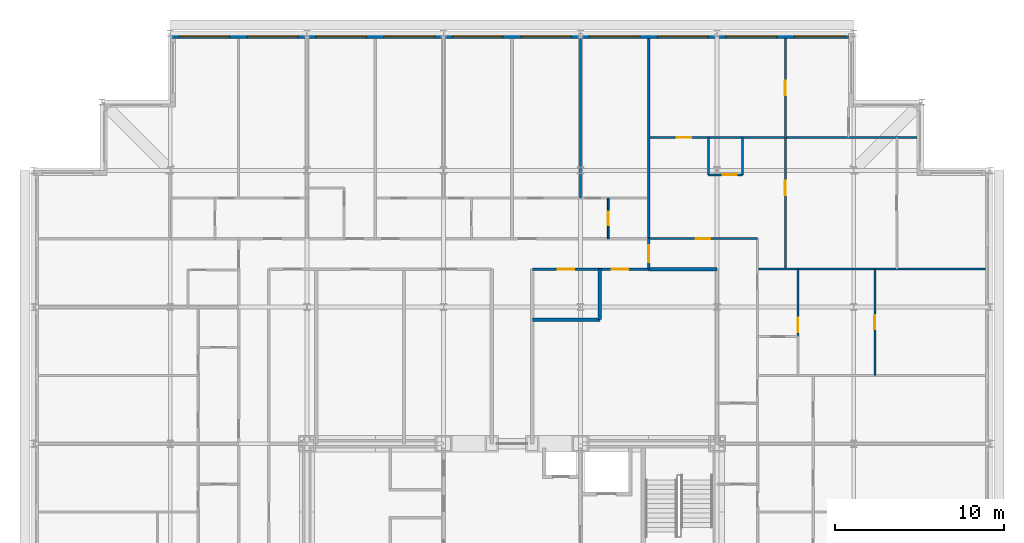
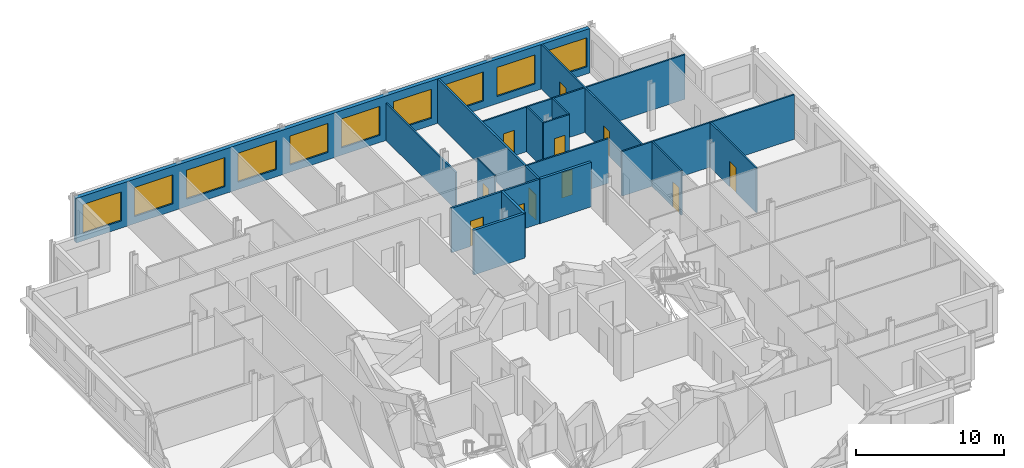
# One storey, part 13 of 15: 18 walls, 11 doors, 10 windows, 21 openings.
"""IFC4 building model written with IfcOpenShell, lengths in metres."""

from ifc_helpers import new_model, si_unit, direction, frame, frame_2d, origin, place, context, subcontext, project, spatial, rectangle, extrude, material, layer, layer_set, type_object, element, fill, save


model = new_model("IFC4")

# Units and contexts
model_context = context("Model", 3, precision=1e-05, world=origin(), true_north=direction((0.0, 1.0)))
body_context = subcontext(model_context, "Body", "Model", "MODEL_VIEW")
ifc_project = project(units=[si_unit("LENGTHUNIT", "METRE"), si_unit("AREAUNIT", "SQUARE_METRE"), si_unit("VOLUMEUNIT", "CUBIC_METRE"), si_unit("PLANEANGLEUNIT", "RADIAN"), si_unit("MASSUNIT", "GRAM", prefix="KILO")], contexts=[model_context])

# Site, building, storey
site_placement = place(None, origin())
site = spatial("IfcSite", under=ifc_project, at=site_placement, CompositionType="ELEMENT")
building_placement = place(site_placement, origin())
building = spatial("IfcBuilding", under=site, at=building_placement, Name="Kopane Lantern Tower", CompositionType="ELEMENT")
storey_placement = place(building_placement, frame((0.0, 0.0, 269.699951171875)))
storey = spatial("IfcBuildingStorey", under=building, at=storey_placement, Name="L69", CompositionType="ELEMENT", Elevation=269.699951171875)

# Wall
ifc_material_1 = material(Name="Gypsum board on steel studs", Category="steel")
ifc_layer_1 = layer(ifc_material_1, 0.1201171875)
ifc_layer_set_1 = layer_set([ifc_layer_1], Name="APARTMENT INTERNAL WALL 120")
wall_type_1 = type_object("IfcWallType", Name="APARTMENT INTERNAL WALL 120", PredefinedType="PARTITIONING", material=ifc_layer_set_1)
wall_1_placement = place(storey_placement, frame((32.39990234375, 55.050048828125, 0.0), z_axis=(0.0, 0.0, 1.0), x_axis=(0.0, 1.0, 0.0)))
element("IfcWall", 1, at=wall_1_placement, inside=storey, type_object=wall_type_1, Name="Apartment Internal Wall 120 L69", PredefinedType="PARTITIONING", context=body_context, shape_type="SweptSolid", body=[
    extrude(rectangle(XDim=9.449951171875, YDim=0.1201171875, at=frame_2d((4.72509765625, 0.0))), origin(), (0.0, 0.0, 1.0), 3.077880859375),
])

# Wall, opening, door
wall_2_placement = place(storey_placement, frame((36.449951171875, 52.64990234375, 0.0), z_axis=(0.0, 0.0, 1.0), x_axis=(1.0, 0.0, 0.0)))
wall_2 = element("IfcWall", 2, at=wall_2_placement, inside=storey, type_object=wall_type_1, Name="Apartment Internal Wall 120 L69", PredefinedType="PARTITIONING", context=body_context, shape_type="SweptSolid", body=[
    extrude(rectangle(XDim=6.449951171875, YDim=0.1201171875, at=frame_2d((3.22509765625, 0.0))), origin(), (0.0, 0.0, 1.0), 3.68994140625),
])
opening_1_placement = place(wall_2_placement, frame((2.800048828125, 0.0, 0.0)))
opening_1 = element("IfcOpeningElement", 3, at=opening_1_placement, cuts=wall_2, Name="Opening L69-056", PredefinedType="OPENING", context=body_context, shape_type="SweptSolid", body=[
    extrude(rectangle(XDim=0.85009765625, YDim=2.10009765625, at=frame_2d((0.425048828125, 1.050048828125))), frame((0.0, 0.070068359375, 0.0), z_axis=(0.0, -1.0, 0.0), x_axis=(1.0, 0.0, 0.0)), (0.0, 0.0, 1.0), 0.14013671875),
])
ifc_material_2 = material(Name="Timber door set", Category="wood")
door_type_1 = type_object("IfcDoorType", Name="DOOR D4 850x2100", OperationType="SINGLE_SWING_LEFT", PredefinedType="DOOR", material=ifc_material_2)
door_1_placement = place(opening_1_placement, origin())
door_1 = element("IfcDoor", 4, at=door_1_placement, inside=storey, type_object=door_type_1, Name="Door L69-056", OperationType="SINGLE_SWING_LEFT", OverallHeight=2.10009765625, OverallWidth=0.85009765625, PredefinedType="DOOR", context=body_context, shape_type="SweptSolid", body=[
    extrude(rectangle(XDim=0.85009765625, YDim=2.10009765625, at=frame_2d((0.425048828125, 1.050048828125))), frame((0.0, 0.02490234375, 0.0), z_axis=(0.0, -1.0, 0.0), x_axis=(1.0, 0.0, 0.0)), (0.0, 0.0, 1.0), 0.050048828125),
])
fill(opening_1, door_1)

# Wall
wall_3_placement = place(storey_placement, frame((42.89990234375, 50.85009765625, 0.0), z_axis=(0.0, 0.0, 1.0), x_axis=(1.0, 0.0, 0.0)))
element("IfcWall", 5, at=wall_3_placement, inside=storey, type_object=wall_type_1, Name="Apartment Internal Wall 120 L69", PredefinedType="PARTITIONING", context=body_context, shape_type="SweptSolid", body=[
    extrude(rectangle(XDim=13.5, YDim=0.1201171875, at=frame_2d((6.75, 0.0))), origin(), (0.0, 0.0, 1.0), 3.68994140625),
])

# Wall, opening, door
wall_4_placement = place(storey_placement, frame((36.449951171875, 58.64990234375, 0.0), z_axis=(0.0, 0.0, 1.0), x_axis=(1.0, 0.0, 0.0)))
wall_4 = element("IfcWall", 6, at=wall_4_placement, inside=storey, type_object=wall_type_1, Name="Apartment Internal Wall 120 L69", PredefinedType="PARTITIONING", context=body_context, shape_type="SweptSolid", body=[
    extrude(rectangle(XDim=15.900146484375, YDim=0.1201171875, at=frame_2d((7.9501953125, 0.0))), origin(), (0.0, 0.0, 1.0), 3.68994140625),
])
opening_2_placement = place(wall_4_placement, frame((1.675048828125, 0.0, 0.0)))
opening_2 = element("IfcOpeningElement", 7, at=opening_2_placement, cuts=wall_4, Name="Opening L69-057", PredefinedType="OPENING", context=body_context, shape_type="SweptSolid", body=[
    extrude(rectangle(XDim=0.85009765625, YDim=2.10009765625, at=frame_2d((0.425048828125, 1.050048828125))), frame((0.0, 0.070068359375, 0.0), z_axis=(0.0, -1.0, 0.0), x_axis=(1.0, 0.0, 0.0)), (0.0, 0.0, 1.0), 0.14013671875),
])
door_2_placement = place(opening_2_placement, origin())
door_2 = element("IfcDoor", 8, at=door_2_placement, inside=storey, type_object=door_type_1, Name="Door L69-057", OperationType="SINGLE_SWING_LEFT", OverallHeight=2.10009765625, OverallWidth=0.85009765625, PredefinedType="DOOR", context=body_context, shape_type="SweptSolid", body=[
    extrude(rectangle(XDim=0.85009765625, YDim=2.10009765625, at=frame_2d((0.425048828125, 1.050048828125))), frame((0.0, 0.02490234375, 0.0), z_axis=(0.0, -1.0, 0.0), x_axis=(1.0, 0.0, 0.0)), (0.0, 0.0, 1.0), 0.050048828125),
])
fill(opening_2, door_2)

# Wall, openings, doors
wall_5_placement = place(storey_placement, frame((44.550048828125, 64.5, 0.0), z_axis=(0.0, 0.0, 1.0), x_axis=(0.0, -1.0, 0.0)))
wall_5 = element("IfcWall", 9, at=wall_5_placement, inside=storey, type_object=wall_type_1, Name="Apartment Internal Wall 120 L69", PredefinedType="PARTITIONING", context=body_context, shape_type="SweptSolid", body=[
    extrude(rectangle(XDim=13.64990234375, YDim=0.1201171875, at=frame_2d((6.824951171875, 0.0))), origin(), (0.0, 0.0, 1.0), 3.68994140625),
])
opening_3_placement = place(wall_5_placement, frame((8.425048828125, 0.0, 0.0)))
opening_3 = element("IfcOpeningElement", 10, at=opening_3_placement, cuts=wall_5, Name="Opening L69-058", PredefinedType="OPENING", context=body_context, shape_type="SweptSolid", body=[
    extrude(rectangle(XDim=0.85009765625, YDim=2.10009765625, at=frame_2d((0.425048828125, 1.050048828125))), frame((0.0, 0.070068359375, 0.0), z_axis=(0.0, -1.0, 0.0), x_axis=(1.0, 0.0, 0.0)), (0.0, 0.0, 1.0), 0.14013671875),
])
opening_4_placement = place(wall_5_placement, frame((2.5, 0.0, 0.0)))
opening_4 = element("IfcOpeningElement", 11, at=opening_4_placement, cuts=wall_5, Name="Opening L69-059", PredefinedType="OPENING", context=body_context, shape_type="SweptSolid", body=[
    extrude(rectangle(XDim=0.85009765625, YDim=2.10009765625, at=frame_2d((0.425048828125, 1.050048828125))), frame((0.0, 0.070068359375, 0.0), z_axis=(0.0, -1.0, 0.0), x_axis=(1.0, 0.0, 0.0)), (0.0, 0.0, 1.0), 0.14013671875),
])
door_3_placement = place(opening_3_placement, origin())
door_3 = element("IfcDoor", 12, at=door_3_placement, inside=storey, type_object=door_type_1, Name="Door L69-058", OperationType="SINGLE_SWING_LEFT", OverallHeight=2.10009765625, OverallWidth=0.85009765625, PredefinedType="DOOR", context=body_context, shape_type="SweptSolid", body=[
    extrude(rectangle(XDim=0.85009765625, YDim=2.10009765625, at=frame_2d((0.425048828125, 1.050048828125))), frame((0.0, 0.02490234375, 0.0), z_axis=(0.0, -1.0, 0.0), x_axis=(1.0, 0.0, 0.0)), (0.0, 0.0, 1.0), 0.050048828125),
])
fill(opening_3, door_3)
door_4_placement = place(opening_4_placement, origin())
door_4 = element("IfcDoor", 13, at=door_4_placement, inside=storey, type_object=door_type_1, Name="Door L69-059", OperationType="SINGLE_SWING_RIGHT", OverallHeight=2.10009765625, OverallWidth=0.85009765625, PredefinedType="DOOR", context=body_context, shape_type="SweptSolid", body=[
    extrude(rectangle(XDim=0.85009765625, YDim=2.10009765625, at=frame_2d((0.425048828125, 1.050048828125))), frame((0.0, 0.02490234375, 0.0), z_axis=(0.0, -1.0, 0.0), x_axis=(1.0, 0.0, 0.0)), (0.0, 0.0, 1.0), 0.050048828125),
])
fill(opening_4, door_4)

# Wall, opening, door
wall_6_placement = place(storey_placement, frame((45.300048828125, 50.85009765625, 0.0), z_axis=(0.0, 0.0, 1.0), x_axis=(0.0, -1.0, 0.0)))
wall_6 = element("IfcWall", 14, at=wall_6_placement, inside=storey, type_object=wall_type_1, Name="Apartment Internal Wall 120 L69", PredefinedType="PARTITIONING", context=body_context, shape_type="SweptSolid", body=[
    extrude(rectangle(XDim=4.010009765625, YDim=0.1201171875, at=frame_2d((2.0048828125, 0.0))), origin(), (0.0, 0.0, 1.0), 3.68994140625),
])
opening_5_placement = place(wall_6_placement, frame((2.885009765625, 0.0, 0.0)))
opening_5 = element("IfcOpeningElement", 15, at=opening_5_placement, cuts=wall_6, Name="Opening L69-066", PredefinedType="OPENING", context=body_context, shape_type="SweptSolid", body=[
    extrude(rectangle(XDim=0.85009765625, YDim=2.10009765625, at=frame_2d((0.425048828125, 1.050048828125))), frame((0.0, 0.070068359375, 0.0), z_axis=(0.0, -1.0, 0.0), x_axis=(1.0, 0.0, 0.0)), (0.0, 0.0, 1.0), 0.14013671875),
])
door_5_placement = place(opening_5_placement, origin())
door_5 = element("IfcDoor", 16, at=door_5_placement, inside=storey, type_object=door_type_1, Name="Door L69-066", OperationType="SINGLE_SWING_LEFT", OverallHeight=2.10009765625, OverallWidth=0.85009765625, PredefinedType="DOOR", context=body_context, shape_type="SweptSolid", body=[
    extrude(rectangle(XDim=0.85009765625, YDim=2.10009765625, at=frame_2d((0.425048828125, 1.050048828125))), frame((0.0, 0.02490234375, 0.0), z_axis=(0.0, -1.0, 0.0), x_axis=(1.0, 0.0, 0.0)), (0.0, 0.0, 1.0), 0.050048828125),
])
fill(opening_5, door_5)

wall_7_placement = place(storey_placement, frame((49.85009765625, 44.550048828125, 0.0), z_axis=(0.0, 0.0, 1.0), x_axis=(0.0, 1.0, 0.0)))
wall_7 = element("IfcWall", 17, at=wall_7_placement, inside=storey, type_object=wall_type_1, Name="Apartment Internal Wall 120 L69", PredefinedType="PARTITIONING", context=body_context, shape_type="SweptSolid", body=[
    extrude(rectangle(XDim=6.300048828125, YDim=0.1201171875, at=frame_2d((3.14990234375, 0.0))), origin(), (0.0, 0.0, 1.0), 3.68994140625),
])
opening_6_placement = place(wall_7_placement, frame((2.72509765625, 0.0, 0.0)))
opening_6 = element("IfcOpeningElement", 18, at=opening_6_placement, cuts=wall_7, Name="Opening L69-073", PredefinedType="OPENING", context=body_context, shape_type="SweptSolid", body=[
    extrude(rectangle(XDim=0.85009765625, YDim=2.10009765625, at=frame_2d((0.425048828125, 1.050048828125))), frame((0.0, 0.070068359375, 0.0), z_axis=(0.0, -1.0, 0.0), x_axis=(1.0, 0.0, 0.0)), (0.0, 0.0, 1.0), 0.14013671875),
])
door_6_placement = place(opening_6_placement, origin())
door_6 = element("IfcDoor", 19, at=door_6_placement, inside=storey, type_object=door_type_1, Name="Door L69-073", OperationType="SINGLE_SWING_LEFT", OverallHeight=2.10009765625, OverallWidth=0.85009765625, PredefinedType="DOOR", context=body_context, shape_type="SweptSolid", body=[
    extrude(rectangle(XDim=0.85009765625, YDim=2.10009765625, at=frame_2d((0.425048828125, 1.050048828125))), frame((0.0, 0.02490234375, 0.0), z_axis=(0.0, -1.0, 0.0), x_axis=(1.0, 0.0, 0.0)), (0.0, 0.0, 1.0), 0.050048828125),
])
fill(opening_6, door_6)

# Walls
for number, where, z_axis, x_axis, name in (
    (20, (39.9970703125, 58.64990234375, 0.0), (0.0, 0.0, 1.0), (0.0, -1.0, 0.0), "Apartment Internal Wall 120 L69"),
    (21, (42.0029296875, 58.64990234375, 0.0), (0.0, 0.0, 1.0), (0.0, -1.0, 0.0), "Apartment Internal Wall 120 L69"),
):
    element("IfcWall", number, at=place(storey_placement, frame(where, z_axis=z_axis, x_axis=x_axis)), inside=storey, type_object=wall_type_1, Name=name, PredefinedType="PARTITIONING", context=body_context, shape_type="SweptSolid", body=[
        extrude(rectangle(XDim=2.212890625, YDim=0.1201171875, at=frame_2d((1.1064453125, 0.0))), origin(), (0.0, 0.0, 1.0), 3.68994140625),
    ])

# Wall, opening, door
wall_8_placement = place(storey_placement, frame((39.9970703125, 56.43701171875, 0.0), z_axis=(0.0, 0.0, 1.0), x_axis=(1.0, 0.0, 0.0)))
wall_8 = element("IfcWall", 22, at=wall_8_placement, inside=storey, type_object=wall_type_1, Name="Apartment Internal Wall 120 L69", PredefinedType="PARTITIONING", context=body_context, shape_type="SweptSolid", body=[
    extrude(rectangle(XDim=2.005859375, YDim=0.1201171875, at=frame_2d((1.0029296875, 0.0))), origin(), (0.0, 0.0, 1.0), 3.68994140625),
])
opening_7_placement = place(wall_8_placement, frame((0.8310546875, 0.0, 0.0)))
opening_7 = element("IfcOpeningElement", 23, at=opening_7_placement, cuts=wall_8, Name="Opening L69-075", PredefinedType="OPENING", context=body_context, shape_type="SweptSolid", body=[
    extrude(rectangle(XDim=0.85009765625, YDim=2.10009765625, at=frame_2d((0.425048828125, 1.050048828125))), frame((0.0, 0.070068359375, 0.0), z_axis=(0.0, -1.0, 0.0), x_axis=(1.0, 0.0, 0.0)), (0.0, 0.0, 1.0), 0.14013671875),
])
door_7_placement = place(opening_7_placement, origin())
door_7 = element("IfcDoor", 24, at=door_7_placement, inside=storey, type_object=door_type_1, Name="Door L69-075", OperationType="SINGLE_SWING_RIGHT", OverallHeight=2.10009765625, OverallWidth=0.85009765625, PredefinedType="DOOR", context=body_context, shape_type="SweptSolid", body=[
    extrude(rectangle(XDim=0.85009765625, YDim=2.10009765625, at=frame_2d((0.425048828125, 1.050048828125))), frame((0.0, 0.02490234375, 0.0), z_axis=(0.0, -1.0, 0.0), x_axis=(1.0, 0.0, 0.0)), (0.0, 0.0, 1.0), 0.050048828125),
])
fill(opening_7, door_7)

ifc_material_3 = material(Name="Moisture-resistant board on steel studs", Category="steel")
ifc_layer_2 = layer(ifc_material_3, 0.10009765625)
ifc_layer_set_2 = layer_set([ifc_layer_2], Name="BATHROOM WALL 100")
wall_type_2 = type_object("IfcWallType", Name="BATHROOM WALL 100", PredefinedType="PARTITIONING", material=ifc_layer_set_2)
wall_9_placement = place(storey_placement, frame((34.050048828125, 52.64990234375, 0.0), z_axis=(0.0, 0.0, 1.0), x_axis=(0.0, 1.0, 0.0)))
wall_9 = element("IfcWall", 25, at=wall_9_placement, inside=storey, type_object=wall_type_2, Name="Bathroom Wall 100 L69", PredefinedType="PARTITIONING", context=body_context, shape_type="SweptSolid", body=[
    extrude(rectangle(XDim=2.400146484375, YDim=0.10009765625, at=frame_2d((1.2001953125, 0.0))), origin(), (0.0, 0.0, 1.0), 3.68994140625),
])
opening_8_placement = place(wall_9_placement, frame((0.800048828125, 0.0, 0.0)))
opening_8 = element("IfcOpeningElement", 26, at=opening_8_placement, cuts=wall_9, Name="Opening L69-022", PredefinedType="OPENING", context=body_context, shape_type="SweptSolid", body=[
    extrude(rectangle(XDim=0.800048828125, YDim=2.10009765625, at=frame_2d((0.39990234375, 1.050048828125))), frame((0.0, 0.06005859375, 0.0), z_axis=(0.0, -1.0, 0.0), x_axis=(1.0, 0.0, 0.0)), (0.0, 0.0, 1.0), 0.1201171875),
])
ifc_material_4 = material(Name="Timber door set", Category="wood")
door_type_2 = type_object("IfcDoorType", Name="DOOR D2 800x2100", OperationType="SINGLE_SWING_LEFT", PredefinedType="DOOR", material=ifc_material_4)
door_8_placement = place(opening_8_placement, origin())
door_8 = element("IfcDoor", 27, at=door_8_placement, inside=storey, type_object=door_type_2, Name="Door L69-022", OperationType="SINGLE_SWING_RIGHT", OverallHeight=2.10009765625, OverallWidth=0.800048828125, PredefinedType="DOOR", context=body_context, shape_type="SweptSolid", body=[
    extrude(rectangle(XDim=0.800048828125, YDim=2.10009765625, at=frame_2d((0.39990234375, 1.050048828125))), frame((0.0, 0.02490234375, 0.0), z_axis=(0.0, -1.0, 0.0), x_axis=(1.0, 0.0, 0.0)), (0.0, 0.0, 1.0), 0.050048828125),
])
fill(opening_8, door_8)

# Wall, openings, doors
ifc_material_5 = material(Name="Gypsum board on steel studs", Category="steel")
ifc_layer_3 = layer(ifc_material_5, 0.14990234375)
ifc_layer_set_3 = layer_set([ifc_layer_3], Name="CORRIDOR WALL 150 EI 60")
wall_type_3 = type_object("IfcWallType", Name="CORRIDOR WALL 150 EI 60", PredefinedType="PARTITIONING", material=ifc_layer_set_3)
wall_10_placement = place(storey_placement, frame((29.56005859375, 50.85009765625, 0.0), z_axis=(0.0, 0.0, 1.0), x_axis=(1.0, 0.0, 0.0)))
wall_10 = element("IfcWall", 28, at=wall_10_placement, inside=storey, type_object=wall_type_3, Name="Corridor Wall 150 Ei 60 L69", PredefinedType="PARTITIONING", context=body_context, shape_type="SweptSolid", body=[
    extrude(rectangle(XDim=6.889892578125, YDim=0.14990234375, at=frame_2d((3.44482421875, 0.0))), origin(), (0.0, 0.0, 1.0), 3.68994140625),
])
opening_9_placement = place(wall_10_placement, frame((1.489990234375, 0.0, 0.0)))
opening_9 = element("IfcOpeningElement", 29, at=opening_9_placement, cuts=wall_10, Name="Opening L69-006", PredefinedType="OPENING", context=body_context, shape_type="SweptSolid", body=[
    extrude(rectangle(XDim=1.0, YDim=2.10009765625, at=frame_2d((0.5, 1.050048828125))), frame((0.0, 0.0849609375, 0.0), z_axis=(0.0, -1.0, 0.0), x_axis=(1.0, 0.0, 0.0)), (0.0, 0.0, 1.0), 0.169921875),
])
opening_10_placement = place(wall_10_placement, frame((4.68994140625, 0.0, 0.0)))
opening_10 = element("IfcOpeningElement", 30, at=opening_10_placement, cuts=wall_10, Name="Opening L69-007", PredefinedType="OPENING", context=body_context, shape_type="SweptSolid", body=[
    extrude(rectangle(XDim=1.0, YDim=2.10009765625, at=frame_2d((0.5, 1.050048828125))), frame((0.0, 0.0849609375, 0.0), z_axis=(0.0, -1.0, 0.0), x_axis=(1.0, 0.0, 0.0)), (0.0, 0.0, 1.0), 0.169921875),
])
ifc_material_6 = material(Name="Steel door set", Category="steel")
door_type_3 = type_object("IfcDoorType", Name="DOOR D5 1000x2100 FD60", OperationType="SINGLE_SWING_LEFT", PredefinedType="DOOR", material=ifc_material_6)
door_9_placement = place(opening_9_placement, origin())
door_9 = element("IfcDoor", 31, at=door_9_placement, inside=storey, type_object=door_type_3, Name="Door L69-006", OperationType="SINGLE_SWING_RIGHT", OverallHeight=2.10009765625, OverallWidth=1.0, PredefinedType="DOOR", context=body_context, shape_type="SweptSolid", body=[
    extrude(rectangle(XDim=1.0, YDim=2.10009765625, at=frame_2d((0.5, 1.050048828125))), frame((0.0, 0.02490234375, 0.0), z_axis=(0.0, -1.0, 0.0), x_axis=(1.0, 0.0, 0.0)), (0.0, 0.0, 1.0), 0.050048828125),
])
fill(opening_9, door_9)
door_10_placement = place(opening_10_placement, origin())
door_10 = element("IfcDoor", 32, at=door_10_placement, inside=storey, type_object=door_type_3, Name="Door L69-007", OperationType="SINGLE_SWING_RIGHT", OverallHeight=2.10009765625, OverallWidth=1.0, PredefinedType="DOOR", context=body_context, shape_type="SweptSolid", body=[
    extrude(rectangle(XDim=1.0, YDim=2.10009765625, at=frame_2d((0.5, 1.050048828125))), frame((0.0, 0.02490234375, 0.0), z_axis=(0.0, -1.0, 0.0), x_axis=(1.0, 0.0, 0.0)), (0.0, 0.0, 1.0), 0.050048828125),
])
fill(opening_10, door_10)

# Wall, opening, door
wall_11_placement = place(storey_placement, frame((36.449951171875, 50.85009765625, 0.0), z_axis=(0.0, 0.0, 1.0), x_axis=(0.0, 1.0, 0.0)))
wall_11 = element("IfcWall", 33, at=wall_11_placement, inside=storey, type_object=wall_type_3, Name="Corridor Wall 150 Ei 60 L69", PredefinedType="PARTITIONING", context=body_context, shape_type="SweptSolid", body=[
    extrude(rectangle(XDim=1.7998046875, YDim=0.14990234375, at=frame_2d((0.89990234375, 0.0))), origin(), (0.0, 0.0, 1.0), 3.68994140625),
])
opening_11_placement = place(wall_11_placement, frame((0.39990234375, 0.0, 0.0)))
opening_11 = element("IfcOpeningElement", 34, at=opening_11_placement, cuts=wall_11, Name="Opening L69-054", PredefinedType="OPENING", context=body_context, shape_type="SweptSolid", body=[
    extrude(rectangle(XDim=1.0, YDim=2.10009765625, at=frame_2d((0.5, 1.050048828125))), frame((0.0, 0.0849609375, 0.0), z_axis=(0.0, -1.0, 0.0), x_axis=(1.0, 0.0, 0.0)), (0.0, 0.0, 1.0), 0.169921875),
])
ifc_material_7 = material(Name="Steel door set", Category="steel")
door_type_4 = type_object("IfcDoorType", Name="DOOR D3 1000x2100 FD30S", OperationType="SINGLE_SWING_LEFT", PredefinedType="DOOR", material=ifc_material_7)
door_11_placement = place(opening_11_placement, origin())
door_11 = element("IfcDoor", 35, at=door_11_placement, inside=storey, type_object=door_type_4, Name="Door L69-054", OperationType="SINGLE_SWING_RIGHT", OverallHeight=2.10009765625, OverallWidth=1.0, PredefinedType="DOOR", context=body_context, shape_type="SweptSolid", body=[
    extrude(rectangle(XDim=1.0, YDim=2.10009765625, at=frame_2d((0.5, 1.050048828125))), frame((0.0, 0.02490234375, 0.0), z_axis=(0.0, -1.0, 0.0), x_axis=(1.0, 0.0, 0.0)), (0.0, 0.0, 1.0), 0.050048828125),
])
fill(opening_11, door_11)

# Wall
ifc_material_8 = material(Name="Gypsum board on steel studs", Category="steel")
ifc_layer_4 = layer(ifc_material_8, 0.14990234375)
ifc_layer_set_4 = layer_set([ifc_layer_4], Name="DEMISING WALL 150 EI 60")
wall_type_4 = type_object("IfcWallType", Name="DEMISING WALL 150 EI 60", PredefinedType="PARTITIONING", material=ifc_layer_set_4)
wall_12_placement = place(storey_placement, frame((36.449951171875, 64.5, 0.0), z_axis=(0.0, 0.0, 1.0), x_axis=(0.0, -1.0, 0.0)))
element("IfcWall", 36, at=wall_12_placement, inside=storey, type_object=wall_type_4, Name="Demising Wall 150 Ei 60 L69", PredefinedType="PARTITIONING", context=body_context, shape_type="SweptSolid", body=[
    extrude(rectangle(XDim=11.85009765625, YDim=0.14990234375, at=frame_2d((5.925048828125, 0.0))), origin(), (0.0, 0.0, 1.0), 3.68994140625),
])

# Wall, openings, windows
ifc_material_9 = material(Name="Terracotta rainscreen on light steel framing", Category="masonry")
ifc_layer_5 = layer(ifc_material_9, 0.300048828125)
ifc_layer_set_5 = layer_set([ifc_layer_5], Name="EXTERNAL WALL EW1 300 TERRACOTTA")
wall_type_5 = type_object("IfcWallType", Name="EXTERNAL WALL EW1 300 TERRACOTTA", PredefinedType="SOLIDWALL", material=ifc_layer_set_5)
wall_13_placement = place(storey_placement, frame((48.300048828125, 64.64990234375, 0.0), z_axis=(0.0, 0.0, 1.0), x_axis=(-1.0, 0.0, 0.0)))
wall_13 = element("IfcWall", 37, at=wall_13_placement, inside=storey, type_object=wall_type_5, Name="External wall N L69", PredefinedType="SOLIDWALL", context=body_context, shape_type="SweptSolid", body=[
    extrude(rectangle(XDim=40.199951171875, YDim=0.300048828125, at=frame_2d((20.10009765625, 0.0))), origin(), (0.0, 0.0, 1.0), 3.68994140625),
])
opening_12_placement = place(wall_13_placement, frame((0.22509765625, 0.0, 0.60009765625)))
opening_12 = element("IfcOpeningElement", 38, at=opening_12_placement, cuts=wall_13, Name="Opening WR300240", PredefinedType="OPENING", context=body_context, shape_type="SweptSolid", body=[
    extrude(rectangle(XDim=3.0, YDim=2.39990234375, at=frame_2d((1.5, 1.199951171875))), frame((0.0, 0.159912109375, 0.0), z_axis=(0.0, -1.0, 0.0), x_axis=(1.0, 0.0, 0.0)), (0.0, 0.0, 1.0), 0.320068359375),
])
opening_13_placement = place(wall_13_placement, frame((4.27490234375, 0.0, 0.60009765625)))
opening_13 = element("IfcOpeningElement", 39, at=opening_13_placement, cuts=wall_13, Name="Opening WR300240", PredefinedType="OPENING", context=body_context, shape_type="SweptSolid", body=[
    extrude(rectangle(XDim=3.0, YDim=2.39990234375, at=frame_2d((1.5, 1.199951171875))), frame((0.0, 0.159912109375, 0.0), z_axis=(0.0, -1.0, 0.0), x_axis=(1.0, 0.0, 0.0)), (0.0, 0.0, 1.0), 0.320068359375),
])
opening_14_placement = place(wall_13_placement, frame((8.324951171875, 0.0, 0.60009765625)))
opening_14 = element("IfcOpeningElement", 40, at=opening_14_placement, cuts=wall_13, Name="Opening WR300240", PredefinedType="OPENING", context=body_context, shape_type="SweptSolid", body=[
    extrude(rectangle(XDim=3.0, YDim=2.39990234375, at=frame_2d((1.5, 1.199951171875))), frame((0.0, 0.159912109375, 0.0), z_axis=(0.0, -1.0, 0.0), x_axis=(1.0, 0.0, 0.0)), (0.0, 0.0, 1.0), 0.320068359375),
])
opening_15_placement = place(wall_13_placement, frame((12.375, 0.0, 0.60009765625)))
opening_15 = element("IfcOpeningElement", 41, at=opening_15_placement, cuts=wall_13, Name="Opening WR300240", PredefinedType="OPENING", context=body_context, shape_type="SweptSolid", body=[
    extrude(rectangle(XDim=3.0, YDim=2.39990234375, at=frame_2d((1.5, 1.199951171875))), frame((0.0, 0.159912109375, 0.0), z_axis=(0.0, -1.0, 0.0), x_axis=(1.0, 0.0, 0.0)), (0.0, 0.0, 1.0), 0.320068359375),
])
opening_16_placement = place(wall_13_placement, frame((16.425048828125, 0.0, 0.60009765625)))
opening_16 = element("IfcOpeningElement", 42, at=opening_16_placement, cuts=wall_13, Name="Opening WR300240", PredefinedType="OPENING", context=body_context, shape_type="SweptSolid", body=[
    extrude(rectangle(XDim=3.0, YDim=2.39990234375, at=frame_2d((1.5, 1.199951171875))), frame((0.0, 0.159912109375, 0.0), z_axis=(0.0, -1.0, 0.0), x_axis=(1.0, 0.0, 0.0)), (0.0, 0.0, 1.0), 0.320068359375),
])
opening_17_placement = place(wall_13_placement, frame((20.47509765625, 0.0, 0.60009765625)))
opening_17 = element("IfcOpeningElement", 43, at=opening_17_placement, cuts=wall_13, Name="Opening WR300240", PredefinedType="OPENING", context=body_context, shape_type="SweptSolid", body=[
    extrude(rectangle(XDim=3.0, YDim=2.39990234375, at=frame_2d((1.5, 1.199951171875))), frame((0.0, 0.159912109375, 0.0), z_axis=(0.0, -1.0, 0.0), x_axis=(1.0, 0.0, 0.0)), (0.0, 0.0, 1.0), 0.320068359375),
])
opening_18_placement = place(wall_13_placement, frame((24.52490234375, 0.0, 0.60009765625)))
opening_18 = element("IfcOpeningElement", 44, at=opening_18_placement, cuts=wall_13, Name="Opening WR300240", PredefinedType="OPENING", context=body_context, shape_type="SweptSolid", body=[
    extrude(rectangle(XDim=3.0, YDim=2.39990234375, at=frame_2d((1.5, 1.199951171875))), frame((0.0, 0.159912109375, 0.0), z_axis=(0.0, -1.0, 0.0), x_axis=(1.0, 0.0, 0.0)), (0.0, 0.0, 1.0), 0.320068359375),
])
opening_19_placement = place(wall_13_placement, frame((28.574951171875, 0.0, 0.60009765625)))
opening_19 = element("IfcOpeningElement", 45, at=opening_19_placement, cuts=wall_13, Name="Opening WR300240", PredefinedType="OPENING", context=body_context, shape_type="SweptSolid", body=[
    extrude(rectangle(XDim=3.0, YDim=2.39990234375, at=frame_2d((1.5, 1.199951171875))), frame((0.0, 0.159912109375, 0.0), z_axis=(0.0, -1.0, 0.0), x_axis=(1.0, 0.0, 0.0)), (0.0, 0.0, 1.0), 0.320068359375),
])
opening_20_placement = place(wall_13_placement, frame((32.625, 0.0, 0.60009765625)))
opening_20 = element("IfcOpeningElement", 46, at=opening_20_placement, cuts=wall_13, Name="Opening WR300240", PredefinedType="OPENING", context=body_context, shape_type="SweptSolid", body=[
    extrude(rectangle(XDim=3.0, YDim=2.39990234375, at=frame_2d((1.5, 1.199951171875))), frame((0.0, 0.159912109375, 0.0), z_axis=(0.0, -1.0, 0.0), x_axis=(1.0, 0.0, 0.0)), (0.0, 0.0, 1.0), 0.320068359375),
])
opening_21_placement = place(wall_13_placement, frame((36.675048828125, 0.0, 0.60009765625)))
opening_21 = element("IfcOpeningElement", 47, at=opening_21_placement, cuts=wall_13, Name="Opening WR300240", PredefinedType="OPENING", context=body_context, shape_type="SweptSolid", body=[
    extrude(rectangle(XDim=3.0, YDim=2.39990234375, at=frame_2d((1.5, 1.199951171875))), frame((0.0, 0.159912109375, 0.0), z_axis=(0.0, -1.0, 0.0), x_axis=(1.0, 0.0, 0.0)), (0.0, 0.0, 1.0), 0.320068359375),
])
ifc_material_10 = material(Name="Aluminium and clear glass", Category="aluminium")
window_type = type_object("IfcWindowType", Name="RIBBON WINDOW WR300240 3000x2400", PartitioningType="SINGLE_PANEL", PredefinedType="WINDOW", material=ifc_material_10)
window_1_placement = place(opening_12_placement, origin())
window_1 = element("IfcWindow", 48, at=window_1_placement, inside=storey, type_object=window_type, Name="Window N L69", OverallHeight=2.39990234375, OverallWidth=3.0, PartitioningType="SINGLE_PANEL", PredefinedType="WINDOW", context=body_context, shape_type="SweptSolid", body=[
    extrude(rectangle(XDim=3.0, YDim=2.39990234375, at=frame_2d((1.5, 1.199951171875))), frame((0.0, 0.030029296875, 0.0), z_axis=(0.0, -1.0, 0.0), x_axis=(1.0, 0.0, 0.0)), (0.0, 0.0, 1.0), 0.06005859375),
])
fill(opening_12, window_1)
window_2_placement = place(opening_13_placement, origin())
window_2 = element("IfcWindow", 49, at=window_2_placement, inside=storey, type_object=window_type, Name="Window N L69", OverallHeight=2.39990234375, OverallWidth=3.0, PartitioningType="SINGLE_PANEL", PredefinedType="WINDOW", context=body_context, shape_type="SweptSolid", body=[
    extrude(rectangle(XDim=3.0, YDim=2.39990234375, at=frame_2d((1.5, 1.199951171875))), frame((0.0, 0.030029296875, 0.0), z_axis=(0.0, -1.0, 0.0), x_axis=(1.0, 0.0, 0.0)), (0.0, 0.0, 1.0), 0.06005859375),
])
fill(opening_13, window_2)
window_3_placement = place(opening_14_placement, origin())
window_3 = element("IfcWindow", 50, at=window_3_placement, inside=storey, type_object=window_type, Name="Window N L69", OverallHeight=2.39990234375, OverallWidth=3.0, PartitioningType="SINGLE_PANEL", PredefinedType="WINDOW", context=body_context, shape_type="SweptSolid", body=[
    extrude(rectangle(XDim=3.0, YDim=2.39990234375, at=frame_2d((1.5, 1.199951171875))), frame((0.0, 0.030029296875, 0.0), z_axis=(0.0, -1.0, 0.0), x_axis=(1.0, 0.0, 0.0)), (0.0, 0.0, 1.0), 0.06005859375),
])
fill(opening_14, window_3)
window_4_placement = place(opening_15_placement, origin())
window_4 = element("IfcWindow", 51, at=window_4_placement, inside=storey, type_object=window_type, Name="Window N L69", OverallHeight=2.39990234375, OverallWidth=3.0, PartitioningType="SINGLE_PANEL", PredefinedType="WINDOW", context=body_context, shape_type="SweptSolid", body=[
    extrude(rectangle(XDim=3.0, YDim=2.39990234375, at=frame_2d((1.5, 1.199951171875))), frame((0.0, 0.030029296875, 0.0), z_axis=(0.0, -1.0, 0.0), x_axis=(1.0, 0.0, 0.0)), (0.0, 0.0, 1.0), 0.06005859375),
])
fill(opening_15, window_4)
window_5_placement = place(opening_16_placement, origin())
window_5 = element("IfcWindow", 52, at=window_5_placement, inside=storey, type_object=window_type, Name="Window N L69", OverallHeight=2.39990234375, OverallWidth=3.0, PartitioningType="SINGLE_PANEL", PredefinedType="WINDOW", context=body_context, shape_type="SweptSolid", body=[
    extrude(rectangle(XDim=3.0, YDim=2.39990234375, at=frame_2d((1.5, 1.199951171875))), frame((0.0, 0.030029296875, 0.0), z_axis=(0.0, -1.0, 0.0), x_axis=(1.0, 0.0, 0.0)), (0.0, 0.0, 1.0), 0.06005859375),
])
fill(opening_16, window_5)
window_6_placement = place(opening_17_placement, origin())
window_6 = element("IfcWindow", 53, at=window_6_placement, inside=storey, type_object=window_type, Name="Window N L69", OverallHeight=2.39990234375, OverallWidth=3.0, PartitioningType="SINGLE_PANEL", PredefinedType="WINDOW", context=body_context, shape_type="SweptSolid", body=[
    extrude(rectangle(XDim=3.0, YDim=2.39990234375, at=frame_2d((1.5, 1.199951171875))), frame((0.0, 0.030029296875, 0.0), z_axis=(0.0, -1.0, 0.0), x_axis=(1.0, 0.0, 0.0)), (0.0, 0.0, 1.0), 0.06005859375),
])
fill(opening_17, window_6)
window_7_placement = place(opening_18_placement, origin())
window_7 = element("IfcWindow", 54, at=window_7_placement, inside=storey, type_object=window_type, Name="Window N L69", OverallHeight=2.39990234375, OverallWidth=3.0, PartitioningType="SINGLE_PANEL", PredefinedType="WINDOW", context=body_context, shape_type="SweptSolid", body=[
    extrude(rectangle(XDim=3.0, YDim=2.39990234375, at=frame_2d((1.5, 1.199951171875))), frame((0.0, 0.030029296875, 0.0), z_axis=(0.0, -1.0, 0.0), x_axis=(1.0, 0.0, 0.0)), (0.0, 0.0, 1.0), 0.06005859375),
])
fill(opening_18, window_7)
window_8_placement = place(opening_19_placement, origin())
window_8 = element("IfcWindow", 55, at=window_8_placement, inside=storey, type_object=window_type, Name="Window N L69", OverallHeight=2.39990234375, OverallWidth=3.0, PartitioningType="SINGLE_PANEL", PredefinedType="WINDOW", context=body_context, shape_type="SweptSolid", body=[
    extrude(rectangle(XDim=3.0, YDim=2.39990234375, at=frame_2d((1.5, 1.199951171875))), frame((0.0, 0.030029296875, 0.0), z_axis=(0.0, -1.0, 0.0), x_axis=(1.0, 0.0, 0.0)), (0.0, 0.0, 1.0), 0.06005859375),
])
fill(opening_19, window_8)
window_9_placement = place(opening_20_placement, origin())
window_9 = element("IfcWindow", 56, at=window_9_placement, inside=storey, type_object=window_type, Name="Window N L69", OverallHeight=2.39990234375, OverallWidth=3.0, PartitioningType="SINGLE_PANEL", PredefinedType="WINDOW", context=body_context, shape_type="SweptSolid", body=[
    extrude(rectangle(XDim=3.0, YDim=2.39990234375, at=frame_2d((1.5, 1.199951171875))), frame((0.0, 0.030029296875, 0.0), z_axis=(0.0, -1.0, 0.0), x_axis=(1.0, 0.0, 0.0)), (0.0, 0.0, 1.0), 0.06005859375),
])
fill(opening_20, window_9)
window_10_placement = place(opening_21_placement, origin())
window_10 = element("IfcWindow", 57, at=window_10_placement, inside=storey, type_object=window_type, Name="Window N L69", OverallHeight=2.39990234375, OverallWidth=3.0, PartitioningType="SINGLE_PANEL", PredefinedType="WINDOW", context=body_context, shape_type="SweptSolid", body=[
    extrude(rectangle(XDim=3.0, YDim=2.39990234375, at=frame_2d((1.5, 1.199951171875))), frame((0.0, 0.030029296875, 0.0), z_axis=(0.0, -1.0, 0.0), x_axis=(1.0, 0.0, 0.0)), (0.0, 0.0, 1.0), 0.06005859375),
])
fill(opening_21, window_10)

# Walls
ifc_material_11 = material(Name="Concrete masonry", Category="masonry")
ifc_layer_6 = layer(ifc_material_11, 0.199951171875)
ifc_layer_set_6 = layer_set([ifc_layer_6], Name="PLANT ROOM WALL 200 EI 120")
wall_type_6 = type_object("IfcWallType", Name="PLANT ROOM WALL 200 EI 120", PredefinedType="SOLIDWALL", material=ifc_layer_set_6)
wall_14_placement = place(storey_placement, frame((33.550048828125, 50.85009765625, 0.0), z_axis=(0.0, 0.0, 1.0), x_axis=(0.0, -1.0, 0.0)))
element("IfcWall", 58, at=wall_14_placement, inside=storey, type_object=wall_type_6, Name="Plant Room Wall 200 Ei 120 L69", PredefinedType="SOLIDWALL", context=body_context, shape_type="SweptSolid", body=[
    extrude(rectangle(XDim=3.0, YDim=0.199951171875, at=frame_2d((1.5, 0.0))), origin(), (0.0, 0.0, 1.0), 3.68994140625),
])
wall_15_placement = place(storey_placement, frame((29.550048828125, 47.85009765625, 0.0), z_axis=(0.0, 0.0, 1.0), x_axis=(1.0, 0.0, 0.0)))
element("IfcWall", 59, at=wall_15_placement, inside=storey, type_object=wall_type_6, Name="Plant Room Wall 200 Ei 120 L69", PredefinedType="SOLIDWALL", context=body_context, shape_type="SweptSolid", body=[
    extrude(rectangle(XDim=4.0, YDim=0.199951171875, at=frame_2d((2.0, 0.0))), origin(), (0.0, 0.0, 1.0), 3.68994140625),
])
wall_16_placement = place(storey_placement, frame((36.449951171875, 50.85009765625, 0.0), z_axis=(0.0, 0.0, 1.0), x_axis=(1.0, 0.0, 0.0)))
element("IfcWall", 60, at=wall_16_placement, inside=storey, type_object=wall_type_6, Name="Plant Room Wall 200 Ei 120 L69", PredefinedType="SOLIDWALL", context=body_context, shape_type="SweptSolid", body=[
    extrude(rectangle(XDim=4.050048828125, YDim=0.199951171875, at=frame_2d((2.02490234375, 0.0))), origin(), (0.0, 0.0, 1.0), 3.68994140625),
])

save(model, "model.ifc")
